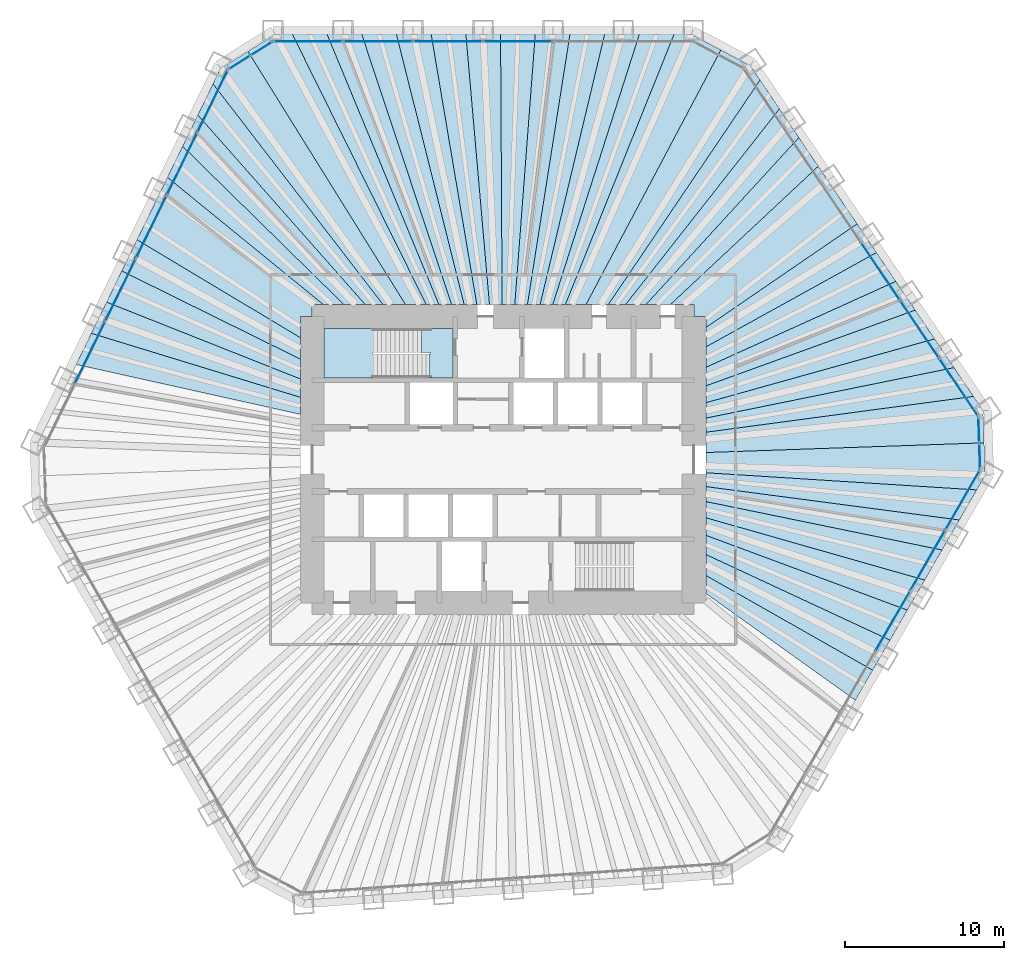
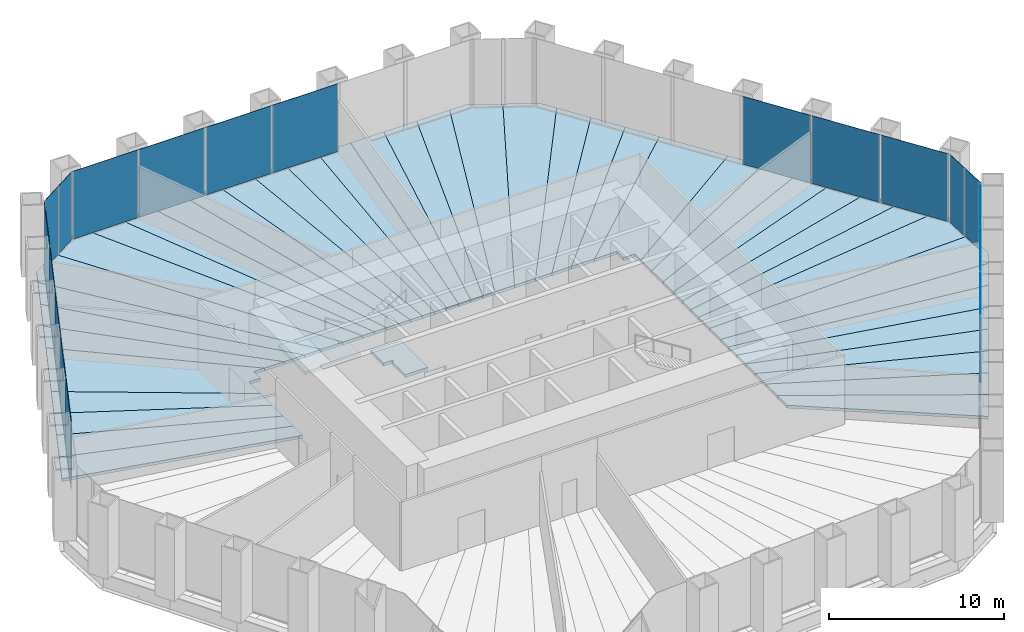
# One storey, part 9 of 13: 44 slabs, 19 plates, 7 elements without a shape of their own.
"""IFC4 building model written with IfcOpenShell, lengths in metres."""

from ifc_helpers import new_model, si_unit, direction, frame, origin, origin_2d, place, context, subcontext, project, spatial, polyline, rectangle, outline, extrude, material, layer, layer_set, type_object, element, aggregate, save


model = new_model("IFC4")

# Units and contexts
model_context = context("Model", 3, precision=1e-05, world=origin(), true_north=direction((0.0, 1.0)))
body_context = subcontext(model_context, "Body", "Model", "MODEL_VIEW")
ifc_project = project(units=[si_unit("LENGTHUNIT", "METRE"), si_unit("AREAUNIT", "SQUARE_METRE"), si_unit("VOLUMEUNIT", "CUBIC_METRE"), si_unit("PLANEANGLEUNIT", "RADIAN"), si_unit("MASSUNIT", "GRAM", prefix="KILO")], contexts=[model_context])

# Site, building, storey
site_placement = place(None, origin())
site = spatial("IfcSite", under=ifc_project, at=site_placement, CompositionType="ELEMENT")
building_placement = place(site_placement, origin())
building = spatial("IfcBuilding", under=site, at=building_placement, Name="Qingtian Harvest Tower", CompositionType="ELEMENT")
storey_placement = place(building_placement, frame((0.0, 0.0, 47.0)))
storey = spatial("IfcBuildingStorey", under=building, at=storey_placement, Name="L09", CompositionType="ELEMENT", Elevation=47.0)

# Slabs
ifc_material_1 = material(Name="Concrete fc' 35 MPa", Category="concrete")
ifc_layer_1 = layer(ifc_material_1, 0.199951171875)
ifc_layer_set_1 = layer_set([ifc_layer_1], Name="Composite floor slab FS20 200")
slab_type_1 = type_object("IfcSlabType", Name="Composite floor slab FS20 200", PredefinedType="FLOOR", material=ifc_layer_set_1)
slab_1_placement = place(storey_placement, frame((0.0, 0.0, -0.199951171875)))
element("IfcSlab", 1, at=slab_1_placement, inside=storey, type_object=slab_type_1, Name="Floor slab L09 panel D32", PredefinedType="FLOOR", context=body_context, shape_type="SweptSolid", body=[
    extrude(outline(polyline([(12.75, -7.279052734375), (23.247802734375, -13.243408203125), (22.159423828125, -15.128662109375), (12.75, -8.4091796875), (12.75, -7.279052734375)])), origin(), (0.0, 0.0, 1.0), 0.199951171875),
])
slab_2_placement = place(storey_placement, frame((0.0, 0.0, -0.199951171875)))
element("IfcSlab", 2, at=slab_2_placement, inside=storey, type_object=slab_type_1, Name="Floor slab L09 panel D33", PredefinedType="FLOOR", context=body_context, shape_type="SweptSolid", body=[
    extrude(outline(polyline([(12.75, -5.96142578125), (24.339111328125, -11.353515625), (23.247802734375, -13.243408203125), (12.75, -7.279052734375), (12.75, -5.96142578125)])), origin(), (0.0, 0.0, 1.0), 0.199951171875),
])
slab_3_placement = place(storey_placement, frame((0.0, 0.0, -0.199951171875)))
element("IfcSlab", 3, at=slab_3_placement, inside=storey, type_object=slab_type_1, Name="Floor slab L09 panel D34", PredefinedType="FLOOR", context=body_context, shape_type="SweptSolid", body=[
    extrude(outline(polyline([(12.75, -4.757080078125), (25.43017578125, -9.46337890625), (24.339111328125, -11.353515625), (12.75, -5.96142578125), (12.75, -4.757080078125)])), origin(), (0.0, 0.0, 1.0), 0.199951171875),
])
slab_4_placement = place(storey_placement, frame((0.0, 0.0, -0.199951171875)))
element("IfcSlab", 4, at=slab_4_placement, inside=storey, type_object=slab_type_1, Name="Floor slab L09 panel D35", PredefinedType="FLOOR", context=body_context, shape_type="SweptSolid", body=[
    extrude(outline(polyline([(12.75, -3.651611328125), (26.521484375, -7.573486328125), (25.43017578125, -9.46337890625), (12.75, -4.757080078125), (12.75, -3.651611328125)])), origin(), (0.0, 0.0, 1.0), 0.199951171875),
])
slab_5_placement = place(storey_placement, frame((0.0, 0.0, -0.199951171875)))
element("IfcSlab", 5, at=slab_5_placement, inside=storey, type_object=slab_type_1, Name="Floor slab L09 panel D36", PredefinedType="FLOOR", context=body_context, shape_type="SweptSolid", body=[
    extrude(outline(polyline([(12.75, -2.634033203125), (27.612548828125, -5.68359375), (26.521484375, -7.573486328125), (12.75, -3.651611328125), (12.75, -2.634033203125)])), origin(), (0.0, 0.0, 1.0), 0.199951171875),
])
slab_6_placement = place(storey_placement, frame((0.0, 0.0, -0.199951171875)))
element("IfcSlab", 6, at=slab_6_placement, inside=storey, type_object=slab_type_1, Name="Floor slab L09 panel D37", PredefinedType="FLOOR", context=body_context, shape_type="SweptSolid", body=[
    extrude(outline(polyline([(12.75, -1.693603515625), (28.703857421875, -3.793701171875), (27.612548828125, -5.68359375), (12.75, -2.634033203125), (12.75, -1.693603515625)])), origin(), (0.0, 0.0, 1.0), 0.199951171875),
])
slab_7_placement = place(storey_placement, frame((0.0, 0.0, -0.199951171875)))
element("IfcSlab", 7, at=slab_7_placement, inside=storey, type_object=slab_type_1, Name="Floor slab L09 panel D38", PredefinedType="FLOOR", context=body_context, shape_type="SweptSolid", body=[
    extrude(outline(polyline([(12.75, -0.822265625), (29.794921875, -1.903564453125), (28.703857421875, -3.793701171875), (12.75, -1.693603515625), (12.75, -0.822265625)])), origin(), (0.0, 0.0, 1.0), 0.199951171875),
])
slab_8_placement = place(storey_placement, frame((0.0, 0.0, -0.199951171875)))
element("IfcSlab", 8, at=slab_8_placement, inside=storey, type_object=slab_type_1, Name="Floor slab L09 panel D39", PredefinedType="FLOOR", context=body_context, shape_type="SweptSolid", body=[
    extrude(outline(polyline([(12.75, -0.822265625), (12.75, 0.447265625), (30.2587890625, 1.056640625), (30.32958984375, -0.9775390625), (29.794921875, -1.903564453125), (12.75, -0.822265625)])), origin(), (0.0, 0.0, 1.0), 0.199951171875),
])
slab_9_placement = place(storey_placement, frame((0.0, 0.0, -0.199951171875)))
element("IfcSlab", 9, at=slab_9_placement, inside=storey, type_object=slab_type_1, Name="Floor slab L09 panel D40", PredefinedType="FLOOR", context=body_context, shape_type="SweptSolid", body=[
    extrude(outline(polyline([(12.75, 0.447265625), (12.75, 1.72265625), (29.589599609375, 3.977294921875), (30.187744140625, 3.0908203125), (30.2587890625, 1.056640625), (12.75, 0.447265625)])), origin(), (0.0, 0.0, 1.0), 0.199951171875),
])
slab_10_placement = place(storey_placement, frame((0.0, 0.0, -0.199951171875)))
element("IfcSlab", 10, at=slab_10_placement, inside=storey, type_object=slab_type_1, Name="Floor slab L09 panel D41", PredefinedType="FLOOR", context=body_context, shape_type="SweptSolid", body=[
    extrude(outline(polyline([(12.75, 2.610595703125), (28.369140625, 5.78662109375), (29.589599609375, 3.977294921875), (12.75, 1.72265625), (12.75, 2.610595703125)])), origin(), (0.0, 0.0, 1.0), 0.199951171875),
])
slab_11_placement = place(storey_placement, frame((0.0, 0.0, -0.199951171875)))
element("IfcSlab", 11, at=slab_11_placement, inside=storey, type_object=slab_type_1, Name="Floor slab L09 panel D42", PredefinedType="FLOOR", context=body_context, shape_type="SweptSolid", body=[
    extrude(outline(polyline([(12.75, 3.57861328125), (27.14892578125, 7.595947265625), (28.369140625, 5.78662109375), (12.75, 2.610595703125), (12.75, 3.57861328125)])), origin(), (0.0, 0.0, 1.0), 0.199951171875),
])
slab_12_placement = place(storey_placement, frame((0.0, 0.0, -0.199951171875)))
element("IfcSlab", 12, at=slab_12_placement, inside=storey, type_object=slab_type_1, Name="Floor slab L09 panel D43", PredefinedType="FLOOR", context=body_context, shape_type="SweptSolid", body=[
    extrude(outline(polyline([(12.75, 4.6376953125), (25.928466796875, 9.405029296875), (27.14892578125, 7.595947265625), (12.75, 3.57861328125), (12.75, 4.6376953125)])), origin(), (0.0, 0.0, 1.0), 0.199951171875),
])
slab_13_placement = place(storey_placement, frame((0.0, 0.0, -0.199951171875)))
element("IfcSlab", 13, at=slab_13_placement, inside=storey, type_object=slab_type_1, Name="Floor slab L09 panel D44", PredefinedType="FLOOR", context=body_context, shape_type="SweptSolid", body=[
    extrude(outline(polyline([(12.75, 5.8017578125), (24.708251953125, 11.21435546875), (25.928466796875, 9.405029296875), (12.75, 4.6376953125), (12.75, 5.8017578125)])), origin(), (0.0, 0.0, 1.0), 0.199951171875),
])
slab_14_placement = place(storey_placement, frame((0.0, 0.0, -0.199951171875)))
element("IfcSlab", 14, at=slab_14_placement, inside=storey, type_object=slab_type_1, Name="Floor slab L09 panel D45", PredefinedType="FLOOR", context=body_context, shape_type="SweptSolid", body=[
    extrude(outline(polyline([(12.75, 7.087158203125), (23.48779296875, 13.023681640625), (24.708251953125, 11.21435546875), (12.75, 5.8017578125), (12.75, 7.087158203125)])), origin(), (0.0, 0.0, 1.0), 0.199951171875),
])
slab_15_placement = place(storey_placement, frame((0.0, 0.0, -0.199951171875)))
element("IfcSlab", 15, at=slab_15_placement, inside=storey, type_object=slab_type_1, Name="Floor slab L09 panel D46", PredefinedType="FLOOR", context=body_context, shape_type="SweptSolid", body=[
    extrude(outline(polyline([(12.75, 8.30615234375), (22.26953125, 14.829833984375), (23.48779296875, 13.023681640625), (12.75, 7.087158203125), (12.75, 8.30615234375)])), origin(), (0.0, 0.0, 1.0), 0.199951171875),
])
slab_16_placement = place(storey_placement, frame((0.0, 0.0, -0.199951171875)))
element("IfcSlab", 16, at=slab_16_placement, inside=storey, type_object=slab_type_1, Name="Floor slab L09 panel D48", PredefinedType="FLOOR", context=body_context, shape_type="SweptSolid", body=[
    extrude(outline(polyline([(19.8271484375, 18.45068359375), (22.26953125, 14.829833984375), (12.75, 8.30615234375), (12.75, 9.0), (12.0, 9.0), (12.0, 9.75), (10.51806640625, 9.75), (19.8271484375, 18.45068359375)])), origin(), (0.0, 0.0, 1.0), 0.199951171875),
])
slab_17_placement = place(storey_placement, frame((0.0, 0.0, -0.199951171875)))
element("IfcSlab", 17, at=slab_17_placement, inside=storey, type_object=slab_type_1, Name="Floor slab L09 panel D49", PredefinedType="FLOOR", context=body_context, shape_type="SweptSolid", body=[
    extrude(outline(polyline([(8.985107421875, 9.75), (18.60693359375, 20.260009765625), (19.8271484375, 18.45068359375), (10.51806640625, 9.75), (8.985107421875, 9.75)])), origin(), (0.0, 0.0, 1.0), 0.199951171875),
])
slab_18_placement = place(storey_placement, frame((0.0, 0.0, -0.199951171875)))
element("IfcSlab", 18, at=slab_18_placement, inside=storey, type_object=slab_type_1, Name="Floor slab L09 panel D50", PredefinedType="FLOOR", context=body_context, shape_type="SweptSolid", body=[
    extrude(outline(polyline([(7.705078125, 9.75), (17.386474609375, 22.0693359375), (18.60693359375, 20.260009765625), (8.985107421875, 9.75), (7.705078125, 9.75)])), origin(), (0.0, 0.0, 1.0), 0.199951171875),
])
slab_19_placement = place(storey_placement, frame((0.0, 0.0, -0.199951171875)))
element("IfcSlab", 19, at=slab_19_placement, inside=storey, type_object=slab_type_1, Name="Floor slab L09 panel D51", PredefinedType="FLOOR", context=body_context, shape_type="SweptSolid", body=[
    extrude(outline(polyline([(6.61962890625, 9.75), (16.166015625, 23.87841796875), (17.386474609375, 22.0693359375), (7.705078125, 9.75), (6.61962890625, 9.75)])), origin(), (0.0, 0.0, 1.0), 0.199951171875),
])
slab_20_placement = place(storey_placement, frame((0.0, 0.0, -0.199951171875)))
element("IfcSlab", 20, at=slab_20_placement, inside=storey, type_object=slab_type_1, Name="Floor slab L09 panel D52", PredefinedType="FLOOR", context=body_context, shape_type="SweptSolid", body=[
    extrude(outline(polyline([(6.61962890625, 9.75), (5.21875, 9.75), (13.697265625, 25.760009765625), (15.56787109375, 24.765380859375), (16.166015625, 23.87841796875), (6.61962890625, 9.75)])), origin(), (0.0, 0.0, 1.0), 0.199951171875),
])
slab_21_placement = place(storey_placement, frame((0.0, 0.0, -0.199951171875)))
element("IfcSlab", 21, at=slab_21_placement, inside=storey, type_object=slab_type_1, Name="Floor slab L09 panel D53", PredefinedType="FLOOR", context=body_context, shape_type="SweptSolid", body=[
    extrude(outline(polyline([(3.919921875, 9.75), (10.756591796875, 26.7548828125), (11.825927734375, 26.7548828125), (13.697265625, 25.760009765625), (5.21875, 9.75), (3.919921875, 9.75)])), origin(), (0.0, 0.0, 1.0), 0.199951171875),
])
slab_22_placement = place(storey_placement, frame((0.0, 0.0, -0.199951171875)))
element("IfcSlab", 22, at=slab_22_placement, inside=storey, type_object=slab_type_1, Name="Floor slab L09 panel D54", PredefinedType="FLOOR", context=body_context, shape_type="SweptSolid", body=[
    extrude(outline(polyline([(3.12451171875, 9.75), (8.57421875, 26.7548828125), (10.756591796875, 26.7548828125), (3.919921875, 9.75), (3.12451171875, 9.75)])), origin(), (0.0, 0.0, 1.0), 0.199951171875),
])
slab_23_placement = place(storey_placement, frame((0.0, 0.0, -0.199951171875)))
element("IfcSlab", 23, at=slab_23_placement, inside=storey, type_object=slab_type_1, Name="Floor slab L09 panel D55", PredefinedType="FLOOR", context=body_context, shape_type="SweptSolid", body=[
    extrude(outline(polyline([(2.329345703125, 9.75), (6.391845703125, 26.7548828125), (8.57421875, 26.7548828125), (3.12451171875, 9.75), (2.329345703125, 9.75)])), origin(), (0.0, 0.0, 1.0), 0.199951171875),
])
slab_24_placement = place(storey_placement, frame((0.0, 0.0, -0.199951171875)))
element("IfcSlab", 24, at=slab_24_placement, inside=storey, type_object=slab_type_1, Name="Floor slab L09 panel D56", PredefinedType="FLOOR", context=body_context, shape_type="SweptSolid", body=[
    extrude(outline(polyline([(1.533935546875, 9.75), (4.20947265625, 26.7548828125), (6.391845703125, 26.7548828125), (2.329345703125, 9.75), (1.533935546875, 9.75)])), origin(), (0.0, 0.0, 1.0), 0.199951171875),
])
slab_25_placement = place(storey_placement, frame((0.0, 0.0, -0.199951171875)))
element("IfcSlab", 25, at=slab_25_placement, inside=storey, type_object=slab_type_1, Name="Floor slab L09 panel D57", PredefinedType="FLOOR", context=body_context, shape_type="SweptSolid", body=[
    extrude(outline(polyline([(0.73876953125, 9.75), (2.02734375, 26.7548828125), (4.20947265625, 26.7548828125), (1.533935546875, 9.75), (0.73876953125, 9.75)])), origin(), (0.0, 0.0, 1.0), 0.199951171875),
])
slab_26_placement = place(storey_placement, frame((0.0, 0.0, -0.199951171875)))
element("IfcSlab", 26, at=slab_26_placement, inside=storey, type_object=slab_type_1, Name="Floor slab L09 panel D58", PredefinedType="FLOOR", context=body_context, shape_type="SweptSolid", body=[
    extrude(outline(polyline([(-0.056396484375, 9.75), (-0.155029296875, 26.7548828125), (2.02734375, 26.7548828125), (0.73876953125, 9.75), (-0.056396484375, 9.75)])), origin(), (0.0, 0.0, 1.0), 0.199951171875),
])
slab_27_placement = place(storey_placement, frame((0.0, 0.0, -0.199951171875)))
element("IfcSlab", 27, at=slab_27_placement, inside=storey, type_object=slab_type_1, Name="Floor slab L09 panel D59", PredefinedType="FLOOR", context=body_context, shape_type="SweptSolid", body=[
    extrude(outline(polyline([(-0.851806640625, 9.75), (-2.33740234375, 26.7548828125), (-0.155029296875, 26.7548828125), (-0.056396484375, 9.75), (-0.851806640625, 9.75)])), origin(), (0.0, 0.0, 1.0), 0.199951171875),
])
slab_28_placement = place(storey_placement, frame((0.0, 0.0, -0.199951171875)))
element("IfcSlab", 28, at=slab_28_placement, inside=storey, type_object=slab_type_1, Name="Floor slab L09 panel D60", PredefinedType="FLOOR", context=body_context, shape_type="SweptSolid", body=[
    extrude(outline(polyline([(-1.64697265625, 9.75), (-4.519775390625, 26.7548828125), (-2.33740234375, 26.7548828125), (-0.851806640625, 9.75), (-1.64697265625, 9.75)])), origin(), (0.0, 0.0, 1.0), 0.199951171875),
])
slab_29_placement = place(storey_placement, frame((0.0, 0.0, -0.199951171875)))
element("IfcSlab", 29, at=slab_29_placement, inside=storey, type_object=slab_type_1, Name="Floor slab L09 panel D61", PredefinedType="FLOOR", context=body_context, shape_type="SweptSolid", body=[
    extrude(outline(polyline([(-2.4423828125, 9.75), (-6.7021484375, 26.7548828125), (-4.519775390625, 26.7548828125), (-1.64697265625, 9.75), (-2.4423828125, 9.75)])), origin(), (0.0, 0.0, 1.0), 0.199951171875),
])
slab_30_placement = place(storey_placement, frame((0.0, 0.0, -0.199951171875)))
element("IfcSlab", 30, at=slab_30_placement, inside=storey, type_object=slab_type_1, Name="Floor slab L09 panel D62", PredefinedType="FLOOR", context=body_context, shape_type="SweptSolid", body=[
    extrude(outline(polyline([(-3.237548828125, 9.75), (-8.88427734375, 26.7548828125), (-6.7021484375, 26.7548828125), (-2.4423828125, 9.75), (-3.237548828125, 9.75)])), origin(), (0.0, 0.0, 1.0), 0.199951171875),
])
slab_31_placement = place(storey_placement, frame((0.0, 0.0, -0.199951171875)))
element("IfcSlab", 31, at=slab_31_placement, inside=storey, type_object=slab_type_1, Name="Floor slab L09 panel D63", PredefinedType="FLOOR", context=body_context, shape_type="SweptSolid", body=[
    extrude(outline(polyline([(-4.032958984375, 9.75), (-11.066650390625, 26.7548828125), (-8.88427734375, 26.7548828125), (-3.237548828125, 9.75), (-4.032958984375, 9.75)])), origin(), (0.0, 0.0, 1.0), 0.199951171875),
])
slab_32_placement = place(storey_placement, frame((0.0, 0.0, -0.199951171875)))
element("IfcSlab", 32, at=slab_32_placement, inside=storey, type_object=slab_type_1, Name="Floor slab L09 panel D64", PredefinedType="FLOOR", context=body_context, shape_type="SweptSolid", body=[
    extrude(outline(polyline([(-4.828125, 9.75), (-13.2490234375, 26.7548828125), (-11.066650390625, 26.7548828125), (-4.032958984375, 9.75), (-4.828125, 9.75)])), origin(), (0.0, 0.0, 1.0), 0.199951171875),
])
slab_33_placement = place(storey_placement, frame((0.0, 0.0, -0.199951171875)))
element("IfcSlab", 33, at=slab_33_placement, inside=storey, type_object=slab_type_1, Name="Floor slab L09 panel D65", PredefinedType="FLOOR", context=body_context, shape_type="SweptSolid", body=[
    extrude(outline(polyline([(-4.828125, 9.75), (-6.130126953125, 9.75), (-16.044921875, 25.67626953125), (-14.318359375, 26.7548828125), (-13.2490234375, 26.7548828125), (-4.828125, 9.75)])), origin(), (0.0, 0.0, 1.0), 0.199951171875),
])
slab_34_placement = place(storey_placement, frame((0.0, 0.0, -0.199951171875)))
element("IfcSlab", 34, at=slab_34_placement, inside=storey, type_object=slab_type_1, Name="Floor slab L09 panel D66", PredefinedType="FLOOR", context=body_context, shape_type="SweptSolid", body=[
    extrude(outline(polyline([(-6.130126953125, 9.75), (-7.544677734375, 9.75), (-18.239501953125, 23.636474609375), (-17.7705078125, 24.597900390625), (-16.044921875, 25.67626953125), (-6.130126953125, 9.75)])), origin(), (0.0, 0.0, 1.0), 0.199951171875),
])
slab_35_placement = place(storey_placement, frame((0.0, 0.0, -0.199951171875)))
element("IfcSlab", 35, at=slab_35_placement, inside=storey, type_object=slab_type_1, Name="Floor slab L09 panel D67", PredefinedType="FLOOR", context=body_context, shape_type="SweptSolid", body=[
    extrude(outline(polyline([(-8.662109375, 9.75), (-19.196044921875, 21.675048828125), (-18.239501953125, 23.636474609375), (-7.544677734375, 9.75), (-8.662109375, 9.75)])), origin(), (0.0, 0.0, 1.0), 0.199951171875),
])
slab_36_placement = place(storey_placement, frame((0.0, 0.0, -0.199951171875)))
element("IfcSlab", 36, at=slab_36_placement, inside=storey, type_object=slab_type_1, Name="Floor slab L09 panel D68", PredefinedType="FLOOR", context=body_context, shape_type="SweptSolid", body=[
    extrude(outline(polyline([(-10.00341796875, 9.75), (-20.15283203125, 19.71337890625), (-19.196044921875, 21.675048828125), (-8.662109375, 9.75), (-10.00341796875, 9.75)])), origin(), (0.0, 0.0, 1.0), 0.199951171875),
])
slab_37_placement = place(storey_placement, frame((0.0, 0.0, -0.199951171875)))
element("IfcSlab", 37, at=slab_37_placement, inside=storey, type_object=slab_type_1, Name="Floor slab L09 panel D69", PredefinedType="FLOOR", context=body_context, shape_type="SweptSolid", body=[
    extrude(outline(polyline([(-11.2939453125, 9.75), (-21.107666015625, 17.755859375), (-20.15283203125, 19.71337890625), (-10.00341796875, 9.75), (-11.2939453125, 9.75)])), origin(), (0.0, 0.0, 1.0), 0.199951171875),
])
slab_38_placement = place(storey_placement, frame((0.0, 0.0, -0.199951171875)))
element("IfcSlab", 38, at=slab_38_placement, inside=storey, type_object=slab_type_1, Name="Floor slab L09 panel D70", PredefinedType="FLOOR", context=body_context, shape_type="SweptSolid", body=[
    extrude(outline(polyline([(-12.0, 9.0), (-12.75, 9.0), (-12.75, 7.67333984375), (-23.0224609375, 13.82958984375), (-21.107666015625, 17.755859375), (-11.2939453125, 9.75), (-12.0, 9.75), (-12.0, 9.0)])), origin(), (0.0, 0.0, 1.0), 0.199951171875),
])
slab_39_placement = place(storey_placement, frame((0.0, 0.0, -0.199951171875)))
element("IfcSlab", 39, at=slab_39_placement, inside=storey, type_object=slab_type_1, Name="Floor slab L09 panel D72", PredefinedType="FLOOR", context=body_context, shape_type="SweptSolid", body=[
    extrude(outline(polyline([(-12.75, 6.3232421875), (-23.979248046875, 11.8681640625), (-23.0224609375, 13.82958984375), (-12.75, 7.67333984375), (-12.75, 6.3232421875)])), origin(), (0.0, 0.0, 1.0), 0.199951171875),
])
slab_40_placement = place(storey_placement, frame((0.0, 0.0, -0.199951171875)))
element("IfcSlab", 40, at=slab_40_placement, inside=storey, type_object=slab_type_1, Name="Floor slab L09 panel D73", PredefinedType="FLOOR", context=body_context, shape_type="SweptSolid", body=[
    extrude(outline(polyline([(-12.75, 5.076904296875), (-24.935791015625, 9.90673828125), (-23.979248046875, 11.8681640625), (-12.75, 6.3232421875), (-12.75, 5.076904296875)])), origin(), (0.0, 0.0, 1.0), 0.199951171875),
])
slab_41_placement = place(storey_placement, frame((0.0, 0.0, -0.199951171875)))
element("IfcSlab", 41, at=slab_41_placement, inside=storey, type_object=slab_type_1, Name="Floor slab L09 panel D74", PredefinedType="FLOOR", context=body_context, shape_type="SweptSolid", body=[
    extrude(outline(polyline([(-12.75, 3.922607421875), (-25.892578125, 7.9453125), (-24.935791015625, 9.90673828125), (-12.75, 5.076904296875), (-12.75, 3.922607421875)])), origin(), (0.0, 0.0, 1.0), 0.199951171875),
])
slab_42_placement = place(storey_placement, frame((0.0, 0.0, -0.199951171875)))
element("IfcSlab", 42, at=slab_42_placement, inside=storey, type_object=slab_type_1, Name="Floor slab L09 panel D75", PredefinedType="FLOOR", context=body_context, shape_type="SweptSolid", body=[
    extrude(outline(polyline([(-12.75, 2.8505859375), (-26.84912109375, 5.98388671875), (-25.892578125, 7.9453125), (-12.75, 3.922607421875), (-12.75, 2.8505859375)])), origin(), (0.0, 0.0, 1.0), 0.199951171875),
])

# Curtain wall, plates
ifc_material_2 = material(Name="Bronze-anodised aluminium curtain wall", Category="aluminium")
curtain_wall_type = type_object("IfcCurtainWallType", Name="Curtain wall CW2 farm reception", PredefinedType="USERDEFINED", material=ifc_material_2)
curtain_wall_1_placement = place(storey_placement, origin())
curtain_wall_1 = element("IfcCurtainWall", 43, at=curtain_wall_1_placement, inside=storey, type_object=curtain_wall_type, Name="Curtain wall CW2 L09 N0-5", ObjectType="RECESSED CURTAIN WALL", PredefinedType="USERDEFINED")
ifc_material_3 = material(Name="Bronze-tinted laminated insulating glass", Category="glass")
ifc_layer_2 = layer(ifc_material_3, 0.030029296875)
ifc_layer_set_2 = layer_set([ifc_layer_2], Name="Glazed panel CWP tinted IGU")
plate_type = type_object("IfcPlateType", Name="Glazed panel CWP tinted IGU", PredefinedType="CURTAIN_PANEL", material=ifc_layer_set_2)
plate_1_placement = place(storey_placement, frame((-12.2529296875, 26.300048828125, 0.06494140625), z_axis=(0.0, 0.0, 1.0), x_axis=(1.0, 0.0, 0.0)))
plate_1 = element("IfcPlate", 44, at=plate_1_placement, type_object=plate_type, Name="CW2 panel 1.1", PredefinedType="CURTAIN_PANEL", context=body_context, shape_type="SweptSolid", body=[
    extrude(rectangle(XDim=4.30712890625, YDim=0.030029296875, at=origin_2d()), origin(), (0.0, 0.0, 1.0), 4.735107421875),
])
plate_2_placement = place(storey_placement, frame((-7.864501953125, 26.300048828125, 0.06494140625), z_axis=(0.0, 0.0, 1.0), x_axis=(1.0, 0.0, 0.0)))
plate_2 = element("IfcPlate", 45, at=plate_2_placement, type_object=plate_type, Name="CW2 panel 2.1", PredefinedType="CURTAIN_PANEL", context=body_context, shape_type="SweptSolid", body=[
    extrude(rectangle(XDim=4.339599609375, YDim=0.030029296875, at=origin_2d()), origin(), (0.0, 0.0, 1.0), 4.735107421875),
])
plate_3_placement = place(storey_placement, frame((-3.4599609375, 26.300048828125, 0.06494140625), z_axis=(0.0, 0.0, 1.0), x_axis=(1.0, 0.0, 0.0)))
plate_3 = element("IfcPlate", 46, at=plate_3_placement, type_object=plate_type, Name="CW2 panel 3.1", PredefinedType="CURTAIN_PANEL", context=body_context, shape_type="SweptSolid", body=[
    extrude(rectangle(XDim=4.339599609375, YDim=0.030029296875, at=origin_2d()), origin(), (0.0, 0.0, 1.0), 4.735107421875),
])
plate_4_placement = place(storey_placement, frame((0.944580078125, 26.300048828125, 0.06494140625), z_axis=(0.0, 0.0, 1.0), x_axis=(1.0, 0.0, 0.0)))
plate_4 = element("IfcPlate", 47, at=plate_4_placement, type_object=plate_type, Name="CW2 panel 4.1", PredefinedType="CURTAIN_PANEL", context=body_context, shape_type="SweptSolid", body=[
    extrude(rectangle(XDim=4.339599609375, YDim=0.030029296875, at=origin_2d()), origin(), (0.0, 0.0, 1.0), 4.735107421875),
])
aggregate(curtain_wall_1, [plate_1, plate_2, plate_3, plate_4])

curtain_wall_2_placement = place(storey_placement, origin())
curtain_wall_2 = element("IfcCurtainWall", 48, at=curtain_wall_2_placement, inside=storey, type_object=curtain_wall_type, Name="Curtain wall CW2 L09 NE0-5", ObjectType="RECESSED CURTAIN WALL", PredefinedType="USERDEFINED")
plate_5_placement = place(storey_placement, frame((23.738525390625, 11.83837890625, 0.06494140625), z_axis=(0.0, 0.0, 1.0), x_axis=(0.559192903471, -0.829037572555, 0.0)))
plate_5 = element("IfcPlate", 49, at=plate_5_placement, type_object=plate_type, Name="CW2 panel 4.1", PredefinedType="CURTAIN_PANEL", context=body_context, shape_type="SweptSolid", body=[
    extrude(rectangle(XDim=4.339599609375, YDim=0.030029296875, at=origin_2d()), origin(), (0.0, 0.0, 1.0), 4.735107421875),
])
plate_6_placement = place(storey_placement, frame((26.201416015625, 8.186767578125, 0.06494140625), z_axis=(0.0, 0.0, 1.0), x_axis=(0.559192903471, -0.829037572555, 0.0)))
plate_6 = element("IfcPlate", 50, at=plate_6_placement, type_object=plate_type, Name="CW2 panel 5.1", PredefinedType="CURTAIN_PANEL", context=body_context, shape_type="SweptSolid", body=[
    extrude(rectangle(XDim=4.339599609375, YDim=0.030029296875, at=origin_2d()), origin(), (0.0, 0.0, 1.0), 4.735107421875),
])
plate_7_placement = place(storey_placement, frame((28.655517578125, 4.548583984375, 0.06494140625), z_axis=(0.0, 0.0, 1.0), x_axis=(0.559192903471, -0.829037572555, 0.0)))
plate_7 = element("IfcPlate", 51, at=plate_7_placement, type_object=plate_type, Name="CW2 panel 6.1", PredefinedType="CURTAIN_PANEL", context=body_context, shape_type="SweptSolid", body=[
    extrude(rectangle(XDim=4.30712890625, YDim=0.030029296875, at=origin_2d()), origin(), (0.0, 0.0, 1.0), 4.735107421875),
])
aggregate(curtain_wall_2, [plate_5, plate_6, plate_7])

curtain_wall_3_placement = place(storey_placement, origin())
curtain_wall_3 = element("IfcCurtainWall", 52, at=curtain_wall_3_placement, inside=storey, type_object=curtain_wall_type, Name="Curtain wall CW2 L09 NEC", ObjectType="RECESSED CURTAIN WALL", PredefinedType="USERDEFINED")
plate_8_placement = place(storey_placement, frame((29.925537109375, 1.861572265625, 0.06494140625), z_axis=(0.0, 0.0, 1.0), x_axis=(0.034899496703, -0.999390827019, 0.0)))
plate_8 = element("IfcPlate", 53, at=plate_8_placement, type_object=plate_type, Name="CW2 panel 1.1", PredefinedType="CURTAIN_PANEL", context=body_context, shape_type="SweptSolid", body=[
    extrude(rectangle(XDim=1.56689453125, YDim=0.030029296875, at=origin_2d()), origin(), (0.0, 0.0, 1.0), 4.735107421875),
])
plate_9_placement = place(storey_placement, frame((29.982666015625, 0.23046875, 0.06494140625), z_axis=(0.0, 0.0, 1.0), x_axis=(0.034899496703, -0.999390827019, 0.0)))
plate_9 = element("IfcPlate", 54, at=plate_9_placement, type_object=plate_type, Name="CW2 panel 2.1", PredefinedType="CURTAIN_PANEL", context=body_context, shape_type="SweptSolid", body=[
    extrude(rectangle(XDim=1.56689453125, YDim=0.030029296875, at=origin_2d()), origin(), (0.0, 0.0, 1.0), 4.735107421875),
])
aggregate(curtain_wall_3, [plate_8, plate_9])

curtain_wall_4_placement = place(storey_placement, origin())
curtain_wall_4 = element("IfcCurtainWall", 55, at=curtain_wall_4_placement, inside=storey, type_object=curtain_wall_type, Name="Curtain wall CW2 L09 SE0-5", ObjectType="RECESSED CURTAIN WALL", PredefinedType="USERDEFINED")
plate_10_placement = place(storey_placement, frame((28.90283203125, -2.53857421875, 0.06494140625), z_axis=(0.0, 0.0, 1.0), x_axis=(-0.5, -0.866025403784, 0.0)))
plate_10 = element("IfcPlate", 56, at=plate_10_placement, type_object=plate_type, Name="CW2 panel 1.1", PredefinedType="CURTAIN_PANEL", context=body_context, shape_type="SweptSolid", body=[
    extrude(rectangle(XDim=4.30712890625, YDim=0.030029296875, at=origin_2d()), origin(), (0.0, 0.0, 1.0), 4.735107421875),
])
plate_11_placement = place(storey_placement, frame((26.708740234375, -6.339111328125, 0.06494140625), z_axis=(0.0, 0.0, 1.0), x_axis=(-0.5, -0.866025403784, 0.0)))
plate_11 = element("IfcPlate", 57, at=plate_11_placement, type_object=plate_type, Name="CW2 panel 2.1", PredefinedType="CURTAIN_PANEL", context=body_context, shape_type="SweptSolid", body=[
    extrude(rectangle(XDim=4.339599609375, YDim=0.030029296875, at=origin_2d()), origin(), (0.0, 0.0, 1.0), 4.735107421875),
])
plate_12_placement = place(storey_placement, frame((24.50634765625, -10.153564453125, 0.06494140625), z_axis=(0.0, 0.0, 1.0), x_axis=(-0.5, -0.866025403784, 0.0)))
plate_12 = element("IfcPlate", 58, at=plate_12_placement, type_object=plate_type, Name="CW2 panel 3.1", PredefinedType="CURTAIN_PANEL", context=body_context, shape_type="SweptSolid", body=[
    extrude(rectangle(XDim=4.339599609375, YDim=0.030029296875, at=origin_2d()), origin(), (0.0, 0.0, 1.0), 4.735107421875),
])
aggregate(curtain_wall_4, [plate_10, plate_11, plate_12])

curtain_wall_5_placement = place(storey_placement, origin())
curtain_wall_5 = element("IfcCurtainWall", 59, at=curtain_wall_5_placement, inside=storey, type_object=curtain_wall_type, Name="Curtain wall CW2 L09 NW0-5", ObjectType="RECESSED CURTAIN WALL", PredefinedType="USERDEFINED")
plate_13_placement = place(storey_placement, frame((-25.983154296875, 6.72119140625, 0.06494140625), z_axis=(0.0, 0.0, 1.0), x_axis=(0.438371146789, 0.898794046299, 0.0)))
plate_13 = element("IfcPlate", 60, at=plate_13_placement, type_object=plate_type, Name="CW2 panel 2.1", PredefinedType="CURTAIN_PANEL", context=body_context, shape_type="SweptSolid", body=[
    extrude(rectangle(XDim=4.339599609375, YDim=0.030029296875, at=origin_2d()), origin(), (0.0, 0.0, 1.0), 4.735107421875),
])
plate_14_placement = place(storey_placement, frame((-24.052490234375, 10.68017578125, 0.06494140625), z_axis=(0.0, 0.0, 1.0), x_axis=(0.438371146789, 0.898794046299, 0.0)))
plate_14 = element("IfcPlate", 61, at=plate_14_placement, type_object=plate_type, Name="CW2 panel 3.1", PredefinedType="CURTAIN_PANEL", context=body_context, shape_type="SweptSolid", body=[
    extrude(rectangle(XDim=4.339599609375, YDim=0.030029296875, at=origin_2d()), origin(), (0.0, 0.0, 1.0), 4.735107421875),
])
plate_15_placement = place(storey_placement, frame((-22.12158203125, 14.638916015625, 0.06494140625), z_axis=(0.0, 0.0, 1.0), x_axis=(0.438371146789, 0.898794046299, 0.0)))
plate_15 = element("IfcPlate", 62, at=plate_15_placement, type_object=plate_type, Name="CW2 panel 4.1", PredefinedType="CURTAIN_PANEL", context=body_context, shape_type="SweptSolid", body=[
    extrude(rectangle(XDim=4.339599609375, YDim=0.030029296875, at=origin_2d()), origin(), (0.0, 0.0, 1.0), 4.735107421875),
])
plate_16_placement = place(storey_placement, frame((-20.190673828125, 18.597900390625, 0.06494140625), z_axis=(0.0, 0.0, 1.0), x_axis=(0.438371146789, 0.898794046299, 0.0)))
plate_16 = element("IfcPlate", 63, at=plate_16_placement, type_object=plate_type, Name="CW2 panel 5.1", PredefinedType="CURTAIN_PANEL", context=body_context, shape_type="SweptSolid", body=[
    extrude(rectangle(XDim=4.339599609375, YDim=0.030029296875, at=origin_2d()), origin(), (0.0, 0.0, 1.0), 4.735107421875),
])
plate_17_placement = place(storey_placement, frame((-18.266845703125, 22.5419921875, 0.06494140625), z_axis=(0.0, 0.0, 1.0), x_axis=(0.438371146789, 0.898794046299, 0.0)))
plate_17 = element("IfcPlate", 64, at=plate_17_placement, type_object=plate_type, Name="CW2 panel 6.1", PredefinedType="CURTAIN_PANEL", context=body_context, shape_type="SweptSolid", body=[
    extrude(rectangle(XDim=4.30712890625, YDim=0.030029296875, at=origin_2d()), origin(), (0.0, 0.0, 1.0), 4.735107421875),
])
aggregate(curtain_wall_5, [plate_13, plate_14, plate_15, plate_16, plate_17])

curtain_wall_6_placement = place(storey_placement, origin())
curtain_wall_6 = element("IfcCurtainWall", 65, at=curtain_wall_6_placement, inside=storey, type_object=curtain_wall_type, Name="Curtain wall CW2 L09 NWC", ObjectType="RECESSED CURTAIN WALL", PredefinedType="USERDEFINED")
plate_18_placement = place(storey_placement, frame((-16.574951171875, 24.985595703125, 0.06494140625), z_axis=(0.0, 0.0, 1.0), x_axis=(0.848048096156, 0.529919264233, 0.0)))
plate_18 = element("IfcPlate", 66, at=plate_18_placement, type_object=plate_type, Name="CW2 panel 1.1", PredefinedType="CURTAIN_PANEL", context=body_context, shape_type="SweptSolid", body=[
    extrude(rectangle(XDim=1.56689453125, YDim=0.030029296875, at=origin_2d()), origin(), (0.0, 0.0, 1.0), 4.735107421875),
])
plate_19_placement = place(storey_placement, frame((-15.19091796875, 25.850341796875, 0.06494140625), z_axis=(0.0, 0.0, 1.0), x_axis=(0.848048096156, 0.529919264233, 0.0)))
plate_19 = element("IfcPlate", 67, at=plate_19_placement, type_object=plate_type, Name="CW2 panel 2.1", PredefinedType="CURTAIN_PANEL", context=body_context, shape_type="SweptSolid", body=[
    extrude(rectangle(XDim=1.56689453125, YDim=0.030029296875, at=origin_2d()), origin(), (0.0, 0.0, 1.0), 4.735107421875),
])
aggregate(curtain_wall_6, [plate_18, plate_19])

# Stair, slabs
ifc_material_4 = material(Name="Concrete fc' 35 MPa", Category="concrete")
stair_type = type_object("IfcStairType", Name="Special stair ST2 5000", PredefinedType="HALF_TURN_STAIR", material=ifc_material_4)
stair_placement = place(storey_placement, origin())
stair = element("IfcStair", 68, at=stair_placement, inside=storey, type_object=stair_type, Name="Special stair S1 L09", PredefinedType="HALF_TURN_STAIR")
ifc_material_5 = material(Name="Concrete fc' 35 MPa", Category="concrete")
ifc_layer_3 = layer(ifc_material_5, 0.199951171875)
ifc_layer_set_3 = layer_set([ifc_layer_3], Name="Stair landing SL2 200")
slab_type_2 = type_object("IfcSlabType", Name="Stair landing SL2 200", PredefinedType="LANDING", material=ifc_layer_set_3)
slab_43_placement = place(storey_placement, frame((0.0, 0.0, -0.199951171875)))
slab_43 = element("IfcSlab", 69, at=slab_43_placement, type_object=slab_type_2, Name="S1 landing 1", PredefinedType="LANDING", context=body_context, shape_type="SweptSolid", body=[
    extrude(outline(polyline([(-4.64990234375, 5.14990234375), (-4.64990234375, 6.64990234375), (-4.550048828125, 6.64990234375), (-4.550048828125, 6.75), (-5.155029296875, 6.75), (-5.155029296875, 8.25), (-3.14990234375, 8.25), (-3.14990234375, 5.14990234375), (-4.64990234375, 5.14990234375)])), origin(), (0.0, 0.0, 1.0), 0.199951171875),
])
slab_44_placement = place(storey_placement, frame((0.0, 0.0, 2.300048828125)))
slab_44 = element("IfcSlab", 70, at=slab_44_placement, type_object=slab_type_2, Name="S1 landing 2", PredefinedType="LANDING", context=body_context, shape_type="SweptSolid", body=[
    extrude(outline(polyline([(-7.5849609375, 5.14990234375), (-11.25, 5.14990234375), (-11.25, 8.25), (-8.090087890625, 8.25), (-8.090087890625, 6.75), (-8.18994140625, 6.75), (-8.18994140625, 6.64990234375), (-7.5849609375, 6.64990234375), (-7.5849609375, 5.14990234375)])), origin(), (0.0, 0.0, 1.0), 0.199951171875),
])
aggregate(stair, [slab_43, slab_44])

save(model, "model.ifc")
